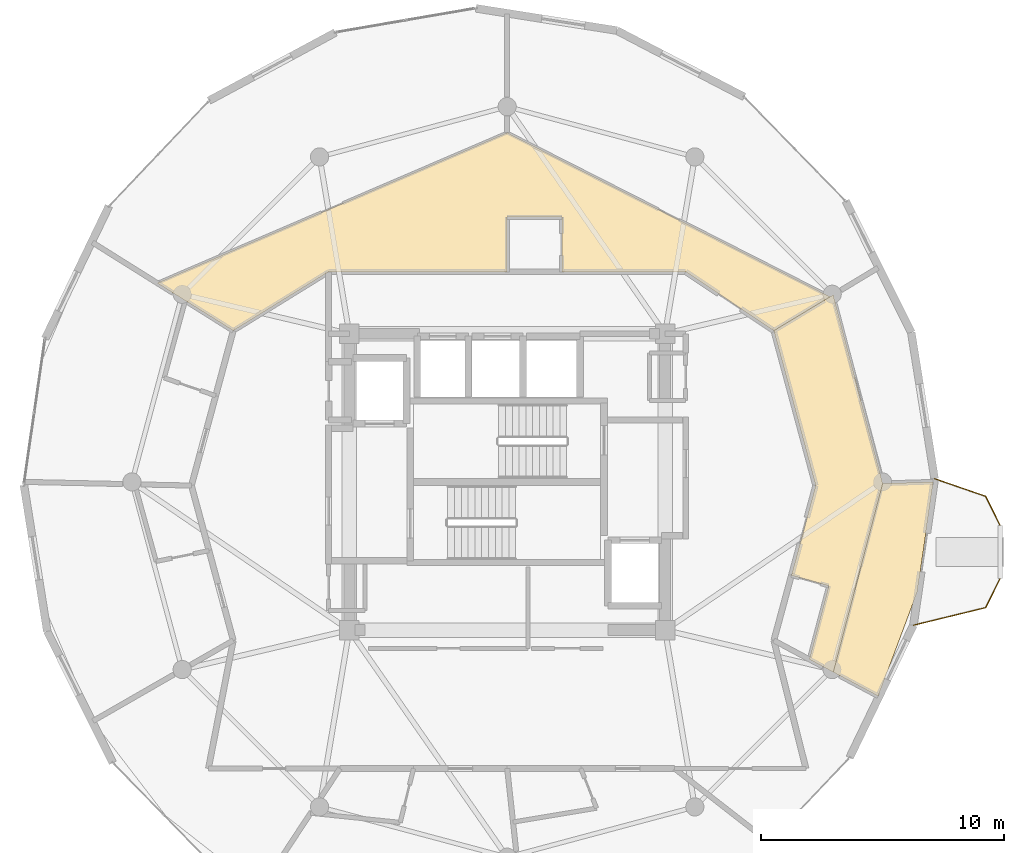
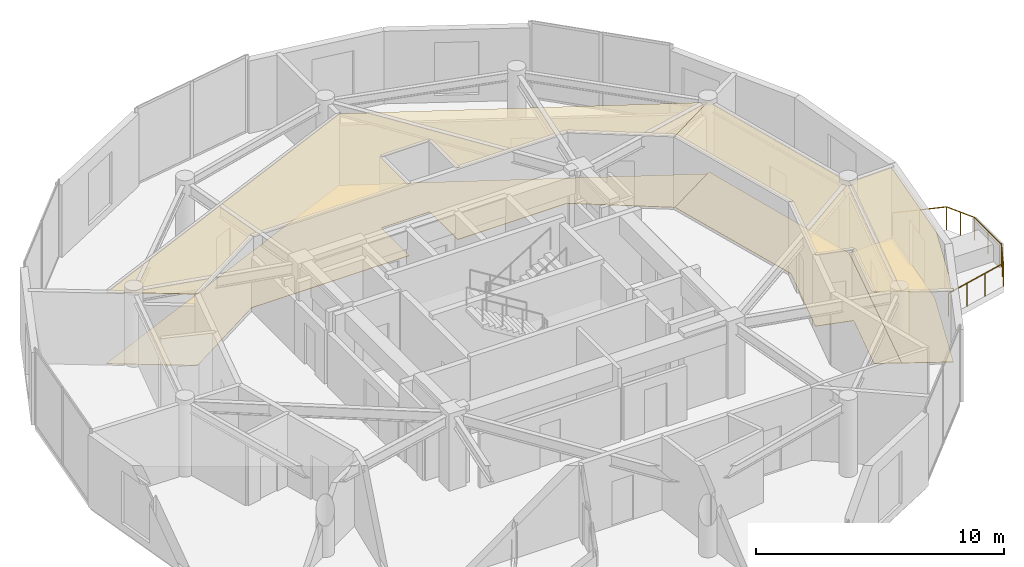
# One storey, part 22 of 22: 6 coverings, 1 railing.
"""IFC4 building model written with IfcOpenShell, lengths in metres."""

from ifc_helpers import new_model, si_unit, direction, frame, origin, origin_2d, place, context, subcontext, project, spatial, polyline, circle, outline, extrude, material, layer, layer_set, type_object, element, save


model = new_model("IFC4")

# Units and contexts
model_context = context("Model", 3, precision=1e-05, world=origin(), true_north=direction((0.0, 1.0)))
body_context = subcontext(model_context, "Body", "Model", "MODEL_VIEW")
ifc_project = project(units=[si_unit("LENGTHUNIT", "METRE"), si_unit("AREAUNIT", "SQUARE_METRE"), si_unit("VOLUMEUNIT", "CUBIC_METRE"), si_unit("PLANEANGLEUNIT", "RADIAN"), si_unit("MASSUNIT", "GRAM", prefix="KILO")], contexts=[model_context])

# Site, building, storey
site_placement = place(None, origin())
site = spatial("IfcSite", under=ifc_project, at=site_placement, CompositionType="ELEMENT")
building_placement = place(site_placement, origin())
building = spatial("IfcBuilding", under=site, at=building_placement, Name="Solvirekh Grand Hotel", CompositionType="ELEMENT")
storey_placement = place(building_placement, frame((0.0, 0.0, 278.199951171875)))
storey = spatial("IfcBuildingStorey", under=building, at=storey_placement, Name="L72", CompositionType="ELEMENT", Elevation=278.199951171875)

# Coverings
ifc_material_1 = material(Name="Acoustic Mineral Ceiling Tile")
ifc_layer_1 = layer(ifc_material_1, 0.02490234375)
ifc_layer_set_1 = layer_set([ifc_layer_1], Name="Acoustic Mineral Ceiling Tile")
covering_type_1 = type_object("IfcCoveringType", Name="Cov_Ceiling_Acoustic", PredefinedType="CEILING", material=ifc_layer_set_1)
covering_1_placement = place(storey_placement, frame((0.0, 0.0, 3.52001953125)))
element("IfcCovering", 1, at=covering_1_placement, inside=storey, type_object=covering_type_1, Name="L72 Panorama Suite 7401 Inner Suite Lounge acoustic ceiling", PredefinedType="CEILING", context=body_context, shape_type="SweptSolid", body=[
    extrude(outline(polyline([(0.0, 8.64990234375), (0.0, 10.89990234375), (2.25, 10.89990234375), (2.25, 8.64990234375), (7.35009765625, 8.64990234375), (10.97802734375, 6.22509765625), (13.2939453125, 7.623046875), (0.0, 14.3779296875), (-14.407958984375, 8.18701171875), (-11.278076171875, 6.22509765625), (-7.35009765625, 8.64990234375), (0.0, 8.64990234375)])), origin(), (0.0, 0.0, 1.0), 0.01806640625),
])
covering_2_placement = place(storey_placement, frame((0.0, 0.0, 3.52001953125)))
element("IfcCovering", 2, at=covering_2_placement, inside=storey, type_object=covering_type_1, Name="L72 Executive Suite 7404 Living Room acoustic ceiling", PredefinedType="CEILING", context=body_context, shape_type="SweptSolid", body=[
    extrude(outline(polyline([(13.239990234375, -4.279052734375), (12.43896484375, -7.304931640625), (13.427001953125, -7.8330078125), (15.458984375, -0.06494140625), (13.423095703125, 7.700927734375), (10.97802734375, 6.22509765625), (12.699951171875, -0.14990234375), (11.700927734375, -3.847900390625), (13.239990234375, -4.279052734375)])), origin(), (0.0, 0.0, 1.0), 0.01806640625),
])
covering_3_placement = place(storey_placement, frame((0.0, 0.0, 3.52001953125)))
element("IfcCovering", 3, at=covering_3_placement, inside=storey, type_object=covering_type_1, Name="L72 Executive Suite 7404 Master Bedroom acoustic ceiling", PredefinedType="CEILING", context=body_context, shape_type="SweptSolid", body=[
    extrude(outline(polyline([(15.27490234375, -8.819091796875), (16.884033203125, -4.52392578125), (17.541015625, 0.0), (15.458984375, -0.06494140625), (13.427001953125, -7.8330078125), (15.27490234375, -8.819091796875)])), origin(), (0.0, 0.0, 1.0), 0.01806640625),
])
ifc_material_2 = material(Name="Porcelain Stoneware Flooring", Category="masonry")
ifc_layer_2 = layer(ifc_material_2, 0.030029296875)
ifc_layer_set_2 = layer_set([ifc_layer_2], Name="Porcelain Stoneware Flooring")
covering_type_2 = type_object("IfcCoveringType", Name="Cov_Floor_Stone", PredefinedType="FLOORING", material=ifc_layer_set_2)
covering_4_placement = place(storey_placement, origin())
element("IfcCovering", 4, at=covering_4_placement, inside=storey, type_object=covering_type_2, Name="L72 Panorama Suite 7401 Inner Suite Lounge polished granite flooring", PredefinedType="FLOORING", context=body_context, shape_type="SweptSolid", body=[
    extrude(outline(polyline([(0.0, 8.64990234375), (0.0, 10.89990234375), (2.25, 10.89990234375), (2.25, 8.64990234375), (7.35009765625, 8.64990234375), (10.97802734375, 6.22509765625), (13.2939453125, 7.623046875), (0.0, 14.3779296875), (-14.407958984375, 8.18701171875), (-11.278076171875, 6.22509765625), (-7.35009765625, 8.64990234375), (0.0, 8.64990234375)])), origin(), (0.0, 0.0, 1.0), 0.02001953125),
])
covering_5_placement = place(storey_placement, origin())
element("IfcCovering", 5, at=covering_5_placement, inside=storey, type_object=covering_type_2, Name="L72 Executive Suite 7404 Living Room polished granite flooring", PredefinedType="FLOORING", context=body_context, shape_type="SweptSolid", body=[
    extrude(outline(polyline([(13.239990234375, -4.279052734375), (12.43896484375, -7.304931640625), (13.427001953125, -7.8330078125), (15.458984375, -0.06494140625), (13.423095703125, 7.700927734375), (10.97802734375, 6.22509765625), (12.699951171875, -0.14990234375), (11.700927734375, -3.847900390625), (13.239990234375, -4.279052734375)])), origin(), (0.0, 0.0, 1.0), 0.02001953125),
])
covering_6_placement = place(storey_placement, origin())
element("IfcCovering", 6, at=covering_6_placement, inside=storey, type_object=covering_type_2, Name="L72 Executive Suite 7404 Master Bedroom polished granite flooring", PredefinedType="FLOORING", context=body_context, shape_type="SweptSolid", body=[
    extrude(outline(polyline([(15.27490234375, -8.819091796875), (16.884033203125, -4.52392578125), (17.541015625, 0.0), (15.458984375, -0.06494140625), (13.427001953125, -7.8330078125), (15.27490234375, -8.819091796875)])), origin(), (0.0, 0.0, 1.0), 0.02001953125),
])

# Railing
ifc_material_3 = material(Name="Anodized Bronze Aluminium 6063-T6", Category="aluminium")
railing_type = type_object("IfcRailingType", Name="Guard_ExtGlass_1150", PredefinedType="BALUSTRADE", material=ifc_material_3)
railing_placement = place(storey_placement, frame((16.72412109375, -5.90087890625, 0.0)))
element("IfcRailing", 7, at=railing_placement, inside=storey, type_object=railing_type, Name="L72 horn perimeter glass balustrade", PredefinedType="BALUSTRADE", context=body_context, shape_type="SweptSolid", body=[
    extrude(circle(Radius=0.02392578125, at=origin_2d()), frame((0.0, 0.0, 1.1259765625), z_axis=(0.971665623957, 0.23635971573, 0.0), x_axis=(-0.23635971573, 0.971665623957, 0.0)), (0.0, 0.0, 1.0), 3.0625),
    extrude(circle(Radius=0.02392578125, at=origin_2d()), frame((2.975830078125, 0.723876953125, 1.1259765625), z_axis=(0.445472904056, 0.895295421496, 0.0), x_axis=(-0.895295421496, 0.445472904056, 0.0)), (0.0, 0.0, 1.0), 1.34716796875),
    extrude(circle(Radius=0.02392578125, at=origin_2d()), frame((3.575927734375, 1.929931640625, 1.1259765625), z_axis=(0.0, 1.0, 0.0), x_axis=(-1.0, 0.0, 0.0)), (0.0, 0.0, 1.0), 2.171875),
    extrude(circle(Radius=0.02392578125, at=origin_2d()), frame((3.575927734375, 4.101806640625, 1.1259765625), z_axis=(-0.445472904056, 0.895295421496, 0.0), x_axis=(-0.895295421496, -0.445472904056, 0.0)), (0.0, 0.0, 1.0), 1.34716796875),
    extrude(circle(Radius=0.02392578125, at=origin_2d()), frame((2.975830078125, 5.307861328125, 1.1259765625), z_axis=(-0.945368309318, 0.326004232698, 0.0), x_axis=(-0.326004232698, -0.945368309318, 0.0)), (0.0, 0.0, 1.0), 2.22119140625),
    extrude(circle(Radius=0.02099609375, at=origin_2d()), origin(), (0.0, 0.0, 1.0), 1.101806640625),
    extrude(circle(Radius=0.02099609375, at=origin_2d()), frame((0.991943359375, 0.2412109375, 0.0)), (0.0, 0.0, 1.0), 1.101806640625),
    extrude(circle(Radius=0.02099609375, at=origin_2d()), frame((1.98388671875, 0.482666015625, 0.0)), (0.0, 0.0, 1.0), 1.101806640625),
    extrude(circle(Radius=0.02099609375, at=origin_2d()), frame((2.975830078125, 0.723876953125, 0.0)), (0.0, 0.0, 1.0), 1.101806640625),
    extrude(circle(Radius=0.02099609375, at=origin_2d()), frame((3.27587890625, 1.326904296875, 0.0)), (0.0, 0.0, 1.0), 1.101806640625),
    extrude(circle(Radius=0.02099609375, at=origin_2d()), frame((3.575927734375, 1.929931640625, 0.0)), (0.0, 0.0, 1.0), 1.101806640625),
    extrude(circle(Radius=0.02099609375, at=origin_2d()), frame((3.575927734375, 3.015869140625, 0.0)), (0.0, 0.0, 1.0), 1.101806640625),
    extrude(circle(Radius=0.02099609375, at=origin_2d()), frame((3.575927734375, 4.101806640625, 0.0)), (0.0, 0.0, 1.0), 1.101806640625),
    extrude(circle(Radius=0.02099609375, at=origin_2d()), frame((3.27587890625, 4.704833984375, 0.0)), (0.0, 0.0, 1.0), 1.101806640625),
    extrude(circle(Radius=0.02099609375, at=origin_2d()), frame((2.975830078125, 5.307861328125, 0.0)), (0.0, 0.0, 1.0), 1.101806640625),
    extrude(circle(Radius=0.02099609375, at=origin_2d()), frame((1.92578125, 5.669921875, 0.0)), (0.0, 0.0, 1.0), 1.101806640625),
    extrude(circle(Radius=0.02099609375, at=origin_2d()), frame((0.8759765625, 6.031982421875, 0.0)), (0.0, 0.0, 1.0), 1.101806640625),
])

save(model, "model.ifc")
